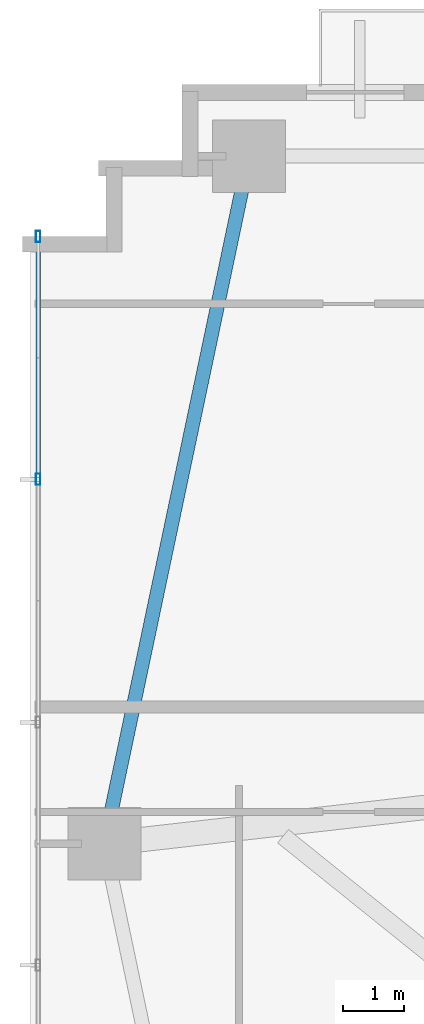
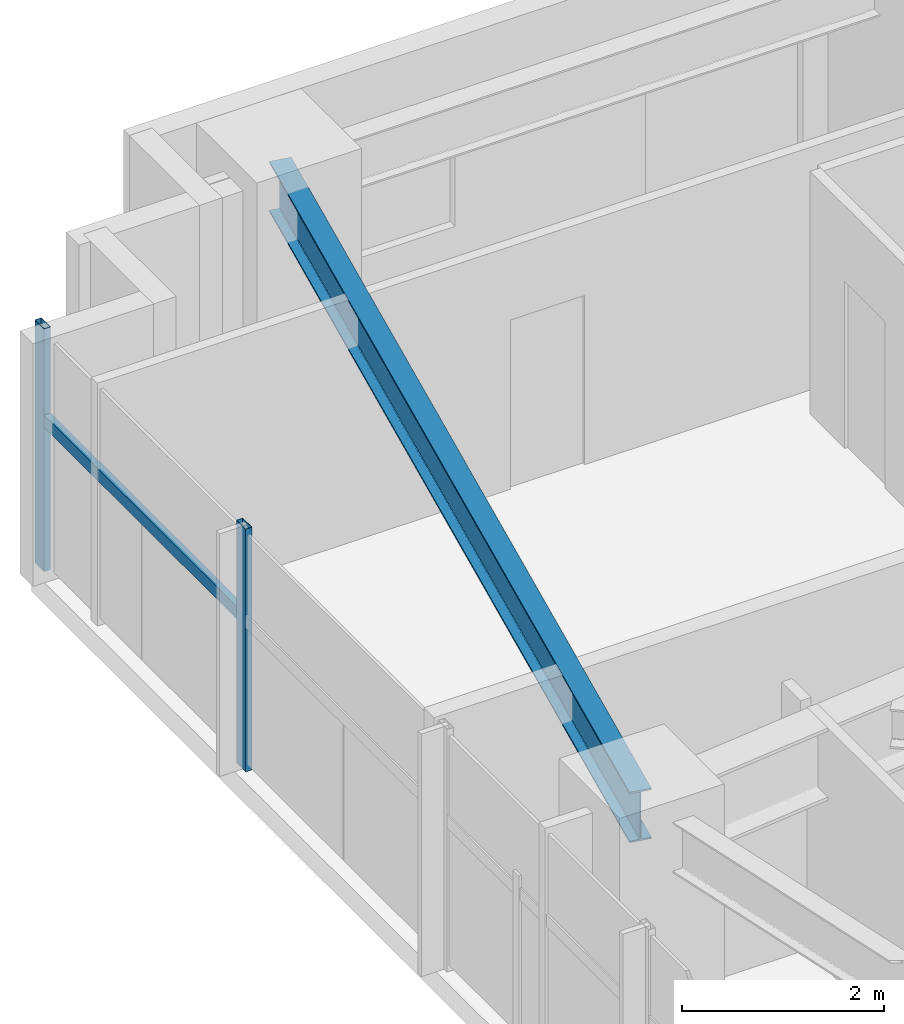
# One storey, part 8 of 25: 3 members, 1 beam, 1 element without a shape of its own.
"""IFC4 building model written with IfcOpenShell, lengths in metres."""

import ifcopenshell
import ifcopenshell.guid

model = None  # the IFC model being written
_history = None  # IfcOwnerHistory: only IFC2X3 demands one
_inside = {}  # id of a spatial element -> (the spatial element, [elements in it])
_under = {}  # id of a project, library or spatial element -> (it, [spatial elements below it])
_declared = {}  # id of a project -> (the project, [libraries it declares])
_typed = {}  # id of a type object -> (the type object, [elements of that type])
_made_of = {}  # id of a material, layer set ... -> (it, [elements and type objects made of it])


def new_model(schema):
    """Start an empty IFC model of exactly this schema.

    Asked for "IFC4X3", IfcOpenShell would pick the latest addendum, in which some entities
    have other attributes; the version numbers below select the first issue.
    IFC2X3 requires an IfcOwnerHistory on every rooted entity: one is made here for all.
    """
    global model, _history
    if schema == "IFC4X3":
        model = ifcopenshell.file(schema_version=(4, 3, 0, 0))
    else:
        model = ifcopenshell.file(schema=schema)
    _inside.clear()
    _under.clear()
    _declared.clear()
    _typed.clear()
    _made_of.clear()
    _history = None
    if model.schema == "IFC2X3":
        org = make("IfcOrganization", Name="unknown")
        user = make(
            "IfcPersonAndOrganization",
            ThePerson=make("IfcPerson", FamilyName="unknown"),
            TheOrganization=org,
        )
        app = make(
            "IfcApplication",
            ApplicationDeveloper=org,
            Version="unknown",
            ApplicationFullName="unknown",
            ApplicationIdentifier="unknown",
        )
        _history = make(
            "IfcOwnerHistory",
            OwningUser=user,
            OwningApplication=app,
            ChangeAction="ADDED",
            CreationDate=0,
        )
    return model


def make(cls, **values):
    """One entity of the class cls with the attributes given. An attribute that is None is left unset."""
    return model.create_entity(
        cls, **{name: value for name, value in values.items() if value is not None}
    )


def rooted(cls, **values):
    """An entity with a GlobalId (a new one), such as an element, a storey or a relation."""
    return make(cls, GlobalId=ifcopenshell.guid.new(), OwnerHistory=_history, **values)


def si_unit(unit_type, name, prefix=None):
    """IfcSIUnit, for example si_unit("LENGTHUNIT", "METRE", prefix="MILLI")."""
    return make("IfcSIUnit", UnitType=unit_type, Prefix=prefix, Name=name)


def assignment(units):
    """IfcUnitAssignment: the units of a project."""
    return None if units is None else make("IfcUnitAssignment", Units=units)


def point(xyz):
    """IfcCartesianPoint."""
    return None if xyz is None else make("IfcCartesianPoint", Coordinates=xyz)


def direction(xyz):
    """IfcDirection."""
    return None if xyz is None else make("IfcDirection", DirectionRatios=xyz)


def frame(location, z_axis=None, x_axis=None):
    """IfcAxis2Placement3D, a coordinate frame: its origin and axes. An axis left out is left unset."""
    return make(
        "IfcAxis2Placement3D",
        Location=point(location),
        Axis=direction(z_axis),
        RefDirection=direction(x_axis),
    )


def frame_2d(location, x_axis=None):
    """IfcAxis2Placement2D, a coordinate frame in the plane: its origin and x axis."""
    return make(
        "IfcAxis2Placement2D", Location=point(location), RefDirection=direction(x_axis)
    )


def origin():
    """The frame at (0, 0, 0) with its axes left unset."""
    return frame((0.0, 0.0, 0.0))


def origin_2d():
    """The frame at (0, 0) in the plane with its x axis left unset."""
    return frame_2d((0.0, 0.0))


def place(relative_to, where):
    """IfcLocalPlacement: puts the frame where relative to a parent placement (None: the world)."""
    return make(
        "IfcLocalPlacement", PlacementRelTo=relative_to, RelativePlacement=where
    )


def context(
    kind, dimensions, precision=None, world=None, true_north=None, identifier=None
):
    """IfcGeometricRepresentationContext, for example the 3D "Model" context."""
    return make(
        "IfcGeometricRepresentationContext",
        ContextIdentifier=identifier,
        ContextType=kind,
        CoordinateSpaceDimension=dimensions,
        Precision=precision,
        WorldCoordinateSystem=world,
        TrueNorth=true_north,
    )


def subcontext(parent, identifier, kind, view, scale=None):
    """IfcGeometricRepresentationSubContext, for example "Body" below "Model"."""
    return make(
        "IfcGeometricRepresentationSubContext",
        ContextIdentifier=identifier,
        ContextType=kind,
        ParentContext=parent,
        TargetScale=scale,
        TargetView=view,
    )


def project(units=None, contexts=None):
    """IfcProject with its units and contexts."""
    return rooted(
        "IfcProject",
        Name="project",
        RepresentationContexts=contexts,
        UnitsInContext=assignment(units),
    )


def spatial(cls, under=None, at=None, **own):
    """A site, building, storey or space (cls), placed at a placement, below another one or the project."""
    s = rooted(cls, ObjectPlacement=at, **own)
    if under is not None:
        _under.setdefault(under.id(), (under, []))[1].append(s)
    return s


def profile(cls, at=None, kind="AREA", **sizes):
    """A parametric profile (cls). Its sizes go by their IFC names, for example OverallWidth=200.0."""
    return make(cls, ProfileType=kind, Position=at, **sizes)


def hollow_rectangle(**sizes):
    """IfcRectangleHollowProfileDef."""
    return profile("IfcRectangleHollowProfileDef", **sizes)


def i_section(**sizes):
    """IfcIShapeProfileDef."""
    return profile("IfcIShapeProfileDef", **sizes)


def extrude(swept, where, along, depth):
    """IfcExtrudedAreaSolid: the profile swept, set in the frame where, extruded along a direction by depth."""
    return make(
        "IfcExtrudedAreaSolid",
        SweptArea=swept,
        Position=where,
        ExtrudedDirection=direction(along),
        Depth=depth,
    )


def shape(context_of_items, identifier, shape_type, items):
    """IfcShapeRepresentation: the items that make up one representation, for example the "Body"."""
    return make(
        "IfcShapeRepresentation",
        ContextOfItems=context_of_items,
        RepresentationIdentifier=identifier,
        RepresentationType=shape_type,
        Items=items,
    )


def source(mapping_origin, context_of_items, identifier, shape_type, items):
    """IfcRepresentationMap: a shape defined once, which mapped items show again and again."""
    return make(
        "IfcRepresentationMap",
        MappingOrigin=mapping_origin,
        MappedRepresentation=shape(context_of_items, identifier, shape_type, items),
    )


def transform(
    local_origin,
    x_axis=None,
    y_axis=None,
    z_axis=None,
    scale=None,
    scale2=None,
    scale3=None,
    uniform=True,
):
    """IfcCartesianTransformationOperator3D, or its non-uniform kind. x_axis, y_axis, z_axis: its Axis1, 2, 3."""
    if uniform:
        return make(
            "IfcCartesianTransformationOperator3D",
            Axis1=direction(x_axis),
            Axis2=direction(y_axis),
            LocalOrigin=point(local_origin),
            Scale=scale,
            Axis3=direction(z_axis),
        )
    return make(
        "IfcCartesianTransformationOperator3DnonUniform",
        Axis1=direction(x_axis),
        Axis2=direction(y_axis),
        LocalOrigin=point(local_origin),
        Scale=scale,
        Axis3=direction(z_axis),
        Scale2=scale2,
        Scale3=scale3,
    )


def mapped(mapping_source, mapping_target):
    """IfcMappedItem: shows the shape of a source again, moved by a transform."""
    return make(
        "IfcMappedItem", MappingSource=mapping_source, MappingTarget=mapping_target
    )


def material(Name=None, Category=None):
    """IfcMaterial."""
    return make("IfcMaterial", Name=Name, Category=Category)


def material_profile(
    of_material, cross_section, Name=None, Category=None, Priority=None
):
    """IfcMaterialProfile: a cross section and its material."""
    return make(
        "IfcMaterialProfile",
        Name=Name,
        Material=of_material,
        Profile=cross_section,
        Priority=Priority,
        Category=Category,
    )


def profile_set(profiles, Name=None, composite=None):
    """IfcMaterialProfileSet."""
    return make(
        "IfcMaterialProfileSet",
        Name=Name,
        MaterialProfiles=profiles,
        CompositeProfile=composite,
    )


def made_of(thing, what):
    """Note that an element or type object is made of a material, layer set ...; save() writes the relation."""
    if what is not None:
        _made_of.setdefault(what.id(), (what, []))[1].append(thing)
    return thing


def type_object(cls, material=None, **own):
    """A type object (cls), such as IfcWallType, which elements share."""
    return made_of(rooted(cls, **own), material)


def type_shapes(of_type, sources):
    """Give a type object the sources (RepresentationMaps) that its elements show as mapped items."""
    of_type.RepresentationMaps = sources


def element(
    cls,
    number,
    at=None,
    inside=None,
    cuts=None,
    type_object=None,
    material=None,
    context=None,
    identifier="Body",
    shape_type=None,
    held_by="IfcProductDefinitionShape",
    body=None,
    shapes=None,
    **own,
):
    """One element of the class cls, such as IfcWall. Its Tag is "e" and its number.

    at: its placement. inside: the storey or other place that contains it. cuts: it is an
    opening in that element (IfcRelVoidsElement). A single representation is given by context,
    identifier, shape_type and body (its items); several are given by shapes. held_by: the class
    of the entity that holds the representations. save() writes the other relations.
    """
    e = rooted(cls, Tag="e%d" % number, ObjectPlacement=at, **own)
    if body is not None:
        shapes = [shape(context, identifier, shape_type, body)]
    if shapes is not None:
        e.Representation = make(held_by, Representations=shapes)
    if inside is not None:
        _inside.setdefault(inside.id(), (inside, []))[1].append(e)
    if cuts is not None:
        rooted(
            "IfcRelVoidsElement", RelatingBuildingElement=cuts, RelatedOpeningElement=e
        )
    if type_object is not None:
        _typed.setdefault(type_object.id(), (type_object, []))[1].append(e)
    return made_of(e, material)


def aggregate(whole, parts):
    """IfcRelAggregates: a whole, such as a stair, and the parts it consists of."""
    return rooted("IfcRelAggregates", RelatingObject=whole, RelatedObjects=parts)


def save(model, path):
    """Write the relations noted so far, then the file.

    IfcRelAggregates (storeys below a building ...), IfcRelContainedInSpatialStructure (elements
    in a storey), IfcRelDefinesByType, IfcRelAssociatesMaterial and IfcRelDeclares: one each for
    every whole, place, type object, material and project.
    """
    for whole, parts in _under.values():
        aggregate(whole, parts)
    for where, things in _inside.values():
        rooted(
            "IfcRelContainedInSpatialStructure",
            RelatedElements=things,
            RelatingStructure=where,
        )
    for kind, things in _typed.values():
        rooted("IfcRelDefinesByType", RelatedObjects=things, RelatingType=kind)
    for what, things in _made_of.values():
        rooted("IfcRelAssociatesMaterial", RelatedObjects=things, RelatingMaterial=what)
    for by, libraries in _declared.values():
        rooted("IfcRelDeclares", RelatingContext=by, RelatedDefinitions=libraries)
    model.write(path)


model = new_model("IFC4")

# Units and contexts
model_context = context("Model", 3, precision=1e-05, world=origin(), true_north=direction((0.0, 1.0)))
body_context = subcontext(model_context, "Body", "Model", "MODEL_VIEW")
ifc_project = project(units=[si_unit("LENGTHUNIT", "METRE"), si_unit("AREAUNIT", "SQUARE_METRE"), si_unit("VOLUMEUNIT", "CUBIC_METRE"), si_unit("PLANEANGLEUNIT", "RADIAN"), si_unit("MASSUNIT", "GRAM", prefix="KILO")], contexts=[model_context])

# Site, building, storey
site_placement = place(None, origin())
site = spatial("IfcSite", under=ifc_project, at=site_placement, CompositionType="ELEMENT")
building_placement = place(site_placement, origin())
building = spatial("IfcBuilding", under=site, at=building_placement, Name="Astriad Promenade Condominiums", CompositionType="ELEMENT")
storey_placement = place(building_placement, frame((0.0, 0.0, 39.0)))
storey = spatial("IfcBuildingStorey", under=building, at=storey_placement, Name="L10", CompositionType="ELEMENT", Elevation=39.0)

# Beam
ifc_material_1 = material(Name="Steel ASTM A992 Grade 50", Category="steel")
ifc_material_profile_1 = material_profile(ifc_material_1, i_section(OverallWidth=0.22900390625, OverallDepth=0.612060546875, WebThickness=0.011962890625, FlangeThickness=0.01953125, FilletRadius=0.017822265625, at=origin_2d()), Name="W24X84")
ifc_profile_set_1 = profile_set([ifc_material_profile_1], Name="Steel ASTM A992 Grade 50")
beam_type = type_object("IfcBeamType", Name="STEEL SPANDREL BEAM W24X84", PredefinedType="SPANDREL", material=ifc_profile_set_1)
shared_shape_1 = source(origin(), body_context, "Body", "SweptSolid", [
    extrude(i_section(OverallWidth=0.22900390625, OverallDepth=0.612060546875, WebThickness=0.011962890625, FlangeThickness=0.01953125, FilletRadius=0.017822265625, at=origin_2d()), origin(), (0.0, 0.0, 1.0), 11.48779296875),
])
type_shapes(beam_type, [shared_shape_1])
beam_placement = place(storey_placement, frame((9.391845703125, 26.48095703125, 2.6337890625), z_axis=(-0.205743776427, -0.978605895374, 0.0), x_axis=(0.978605895374, -0.205743776427, 0.0)))
element("IfcBeam", 1, at=beam_placement, inside=storey, type_object=beam_type, Name="Perimeter Spandrel Beam SP-W2-L10", PredefinedType="SPANDREL", context=body_context, shape_type="MappedRepresentation", body=[
    mapped(shared_shape_1, transform((0.0, 0.0, 0.0), scale=1.0)),
])

# Curtain wall, members
ifc_material_2 = material(Name="Anodised aluminium Black Dark Glass Unitised", Category="aluminium")
curtain_wall_type = type_object("IfcCurtainWallType", Name="CW-B1-DARK", PredefinedType="USERDEFINED", material=ifc_material_2)
curtain_wall_placement = place(storey_placement, origin())
curtain_wall = element("IfcCurtainWall", 2, at=curtain_wall_placement, inside=storey, type_object=curtain_wall_type, Name="CW-L10-W", ObjectType="UNITISED_CURTAIN_WALL", PredefinedType="USERDEFINED")
ifc_material_3 = material(Name="Anodised aluminium 6063-T6 Black", Category="aluminium")
ifc_material_profile_2 = material_profile(ifc_material_3, hollow_rectangle(XDim=0.074951171875, YDim=0.18505859375, WallThickness=0.00439453125, at=origin_2d()), Name="ALU-MUL-75X185")
ifc_profile_set_2 = profile_set([ifc_material_profile_2], Name="Anodised aluminium 6063-T6 Black")
member_type_1 = type_object("IfcMemberType", Name="MUL-ALU-MUL-75X185", PredefinedType="MULLION", material=ifc_profile_set_2)
shared_shape_2 = source(origin(), body_context, "Body", "SweptSolid", [
    extrude(hollow_rectangle(XDim=0.074951171875, YDim=0.18505859375, WallThickness=0.00439453125, at=origin_2d()), origin(), (0.0, 0.0, 1.0), 2.93994140625),
])
type_shapes(member_type_1, [shared_shape_2])
member_1_placement = place(storey_placement, frame((5.929931640625, 21.199951171875, 0.0), z_axis=(0.0, 0.0, 1.0), x_axis=(1.0, 0.0, 0.0)))
member_1 = element("IfcMember", 3, at=member_1_placement, type_object=member_type_1, Name="CW-L10-W-MUL-04", PredefinedType="MULLION", context=body_context, shape_type="MappedRepresentation", body=[
    mapped(shared_shape_2, transform((0.0, 0.0, 0.0), scale=1.0)),
])
member_2_placement = place(storey_placement, frame((5.929931640625, 25.199951171875, 0.0), z_axis=(0.0, 0.0, 1.0), x_axis=(1.0, 0.0, 0.0)))
member_2 = element("IfcMember", 4, at=member_2_placement, type_object=member_type_1, Name="CW-L10-W-MUL-05", PredefinedType="MULLION", context=body_context, shape_type="MappedRepresentation", body=[
    mapped(shared_shape_2, transform((0.0, 0.0, 0.0), scale=1.0)),
])
ifc_material_profile_3 = material_profile(ifc_material_3, hollow_rectangle(XDim=0.074951171875, YDim=0.14990234375, WallThickness=0.004150390625, at=origin_2d()), Name="ALU-TRN-75X150")
ifc_profile_set_3 = profile_set([ifc_material_profile_3], Name="Anodised aluminium 6063-T6 Black")
member_type_2 = type_object("IfcMemberType", Name="TRN-ALU-TRN-75X150", PredefinedType="USERDEFINED", material=ifc_profile_set_3)
shared_shape_3 = source(origin(), body_context, "Body", "SweptSolid", [
    extrude(hollow_rectangle(XDim=0.074951171875, YDim=0.14990234375, WallThickness=0.004150390625, at=origin_2d()), origin(), (0.0, 0.0, 1.0), 4.0),
])
type_shapes(member_type_2, [shared_shape_3])
member_3_placement = place(storey_placement, frame((5.929931640625, 21.199951171875, 1.82275390625), z_axis=(0.0, 1.0, 0.0), x_axis=(-1.0, 0.0, 0.0)))
member_3 = element("IfcMember", 5, at=member_3_placement, type_object=member_type_2, Name="CW-L10-W-TRN-04-0", ObjectType="TRANSOM", PredefinedType="USERDEFINED", context=body_context, shape_type="MappedRepresentation", body=[
    mapped(shared_shape_3, transform((0.0, 0.0, 0.0), scale=1.0)),
])
aggregate(curtain_wall, [member_1, member_2, member_3])

save(model, "model.ifc")
